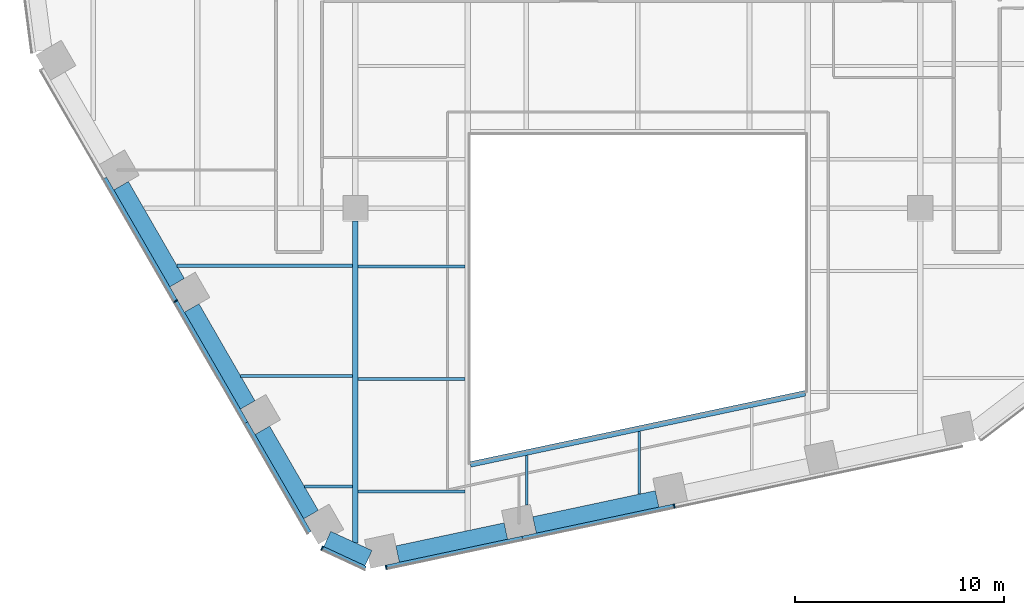
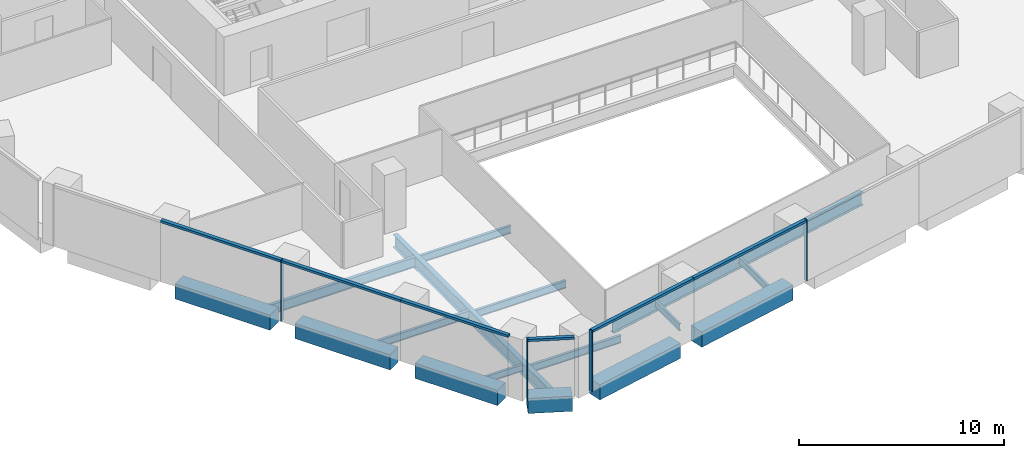
# One storey, part 2 of 16: 16 beams, 10 members, 3 elements without a shape of their own.
"""IFC4 building model written with IfcOpenShell, lengths in metres."""

from ifc_helpers import new_model, si_unit, direction, frame, origin, origin_2d, place, context, subcontext, project, spatial, rectangle, i_section, extrude, material, layer, layer_set, material_profile, profile_set, type_object, element, aggregate, save


model = new_model("IFC4")

# Units and contexts
model_context = context("Model", 3, precision=1e-05, world=origin(), true_north=direction((0.0, 1.0)))
body_context = subcontext(model_context, "Body", "Model", "MODEL_VIEW")
ifc_project = project(units=[si_unit("LENGTHUNIT", "METRE"), si_unit("AREAUNIT", "SQUARE_METRE"), si_unit("VOLUMEUNIT", "CUBIC_METRE"), si_unit("PLANEANGLEUNIT", "RADIAN"), si_unit("MASSUNIT", "GRAM", prefix="KILO")], contexts=[model_context])

# Site, building, storey
site_placement = place(None, origin())
site = spatial("IfcSite", under=ifc_project, at=site_placement, CompositionType="ELEMENT")
building_placement = place(site_placement, origin())
building = spatial("IfcBuilding", under=site, at=building_placement, Name="Isthmus Gate Tower", CompositionType="ELEMENT")
storey_placement = place(building_placement, frame((0.0, 0.0, 151.699951171875)))
storey = spatial("IfcBuildingStorey", under=building, at=storey_placement, Name="L37", CompositionType="ELEMENT", Elevation=151.699951171875)

# Curtain wall, member
ifc_material_1 = material(Name="Aluminium, pale champagne anodised", Category="aluminium")
ifc_layer = layer(ifc_material_1, 0.199951171875)
ifc_layer_set = layer_set([ifc_layer], Name="CW-1 UNITISED CURTAIN WALL 200 DEEP")
curtain_wall_type = type_object("IfcCurtainWallType", Name="CW-1 UNITISED CURTAIN WALL 200 DEEP", PredefinedType="NOTDEFINED", material=ifc_layer_set)
curtain_wall_1_placement = place(storey_placement, origin())
curtain_wall_1 = element("IfcCurtainWall", 1, at=curtain_wall_1_placement, inside=storey, type_object=curtain_wall_type, Name="CW-1 SW L37", PredefinedType="NOTDEFINED")
ifc_material_2 = material(Name="Aluminium, pale champagne anodised", Category="aluminium")
ifc_material_profile_1 = material_profile(ifc_material_2, rectangle(XDim=0.06005859375, YDim=0.199951171875, at=origin_2d()), Name="60x200")
ifc_profile_set_1 = profile_set([ifc_material_profile_1], Name="Aluminium, pale champagne anodised")
member_type_1 = type_object("IfcMemberType", Name="CW-1 MULLION 60 X 200", PredefinedType="MULLION", material=ifc_profile_set_1)
member_1_placement = place(storey_placement, frame((-22.08935546875, -17.93994140625, 0.0), z_axis=(0.0, 0.0, 1.0), x_axis=(0.5, -0.866025403784, 0.0)))
member_1 = element("IfcMember", 2, at=member_1_placement, type_object=member_type_1, Name="CW-1 mullion", PredefinedType="MULLION", context=body_context, shape_type="SweptSolid", body=[
    extrude(rectangle(XDim=0.06005859375, YDim=0.199951171875, at=origin_2d()), origin(), (0.0, 0.0, 1.0), 3.650146484375),
])

curtain_wall_2_placement = place(storey_placement, origin())
curtain_wall_2 = element("IfcCurtainWall", 3, at=curtain_wall_2_placement, inside=storey, type_object=curtain_wall_type, Name="CW-1 SW-S L37", PredefinedType="NOTDEFINED")
member_2_placement = place(storey_placement, frame((-15.091064453125, -29.74755859375, 0.0), z_axis=(0.0, 0.0, 1.0), x_axis=(0.907256261367, -0.420578264073, 0.0)))
member_2 = element("IfcMember", 4, at=member_2_placement, type_object=member_type_1, Name="CW-1 mullion", PredefinedType="MULLION", context=body_context, shape_type="SweptSolid", body=[
    extrude(rectangle(XDim=0.06005859375, YDim=0.199951171875, at=origin_2d()), origin(), (0.0, 0.0, 1.0), 3.650146484375),
])

# Curtain wall, members
curtain_wall_3_placement = place(storey_placement, origin())
curtain_wall_3 = element("IfcCurtainWall", 5, at=curtain_wall_3_placement, inside=storey, type_object=curtain_wall_type, Name="CW-1 S L37", PredefinedType="NOTDEFINED")
member_3_placement = place(storey_placement, frame((-12.03369140625, -30.66015625, 0.0), z_axis=(0.0, 0.0, 1.0), x_axis=(0.978147600734, 0.207911690818, 0.0)))
member_3 = element("IfcMember", 6, at=member_3_placement, type_object=member_type_1, Name="CW-1 mullion", PredefinedType="MULLION", context=body_context, shape_type="SweptSolid", body=[
    extrude(rectangle(XDim=0.06005859375, YDim=0.199951171875, at=origin_2d()), origin(), (0.0, 0.0, 1.0), 3.650146484375),
])
member_4_placement = place(storey_placement, frame((1.740234375, -27.732421875, 0.0), z_axis=(0.0, 0.0, 1.0), x_axis=(0.978147600734, 0.207911690818, 0.0)))
member_4 = element("IfcMember", 7, at=member_4_placement, type_object=member_type_1, Name="CW-1 mullion", PredefinedType="MULLION", context=body_context, shape_type="SweptSolid", body=[
    extrude(rectangle(XDim=0.06005859375, YDim=0.199951171875, at=origin_2d()), origin(), (0.0, 0.0, 1.0), 3.650146484375),
])

# Member
ifc_material_3 = material(Name="Aluminium, pale champagne anodised", Category="aluminium")
ifc_material_profile_2 = material_profile(ifc_material_3, rectangle(XDim=0.199951171875, YDim=0.139892578125, at=origin_2d()), Name="200x140")
ifc_profile_set_2 = profile_set([ifc_material_profile_2], Name="Aluminium, pale champagne anodised")
member_type_2 = type_object("IfcMemberType", Name="CW-1 TRANSOM 200 X 140", PredefinedType="USERDEFINED", material=ifc_profile_set_2)
member_5_placement = place(storey_placement, frame((-25.4794921875, -12.068115234375, 3.580078125), z_axis=(0.49998230858, -0.86603561769, 0.0), x_axis=(0.86603561769, 0.49998230858, 0.0)))
member_5 = element("IfcMember", 8, at=member_5_placement, type_object=member_type_2, Name="CW-1 transom", ObjectType="TRANSOM", PredefinedType="USERDEFINED", context=body_context, shape_type="SweptSolid", body=[
    extrude(rectangle(XDim=0.199951171875, YDim=0.139892578125, at=origin_2d()), origin(), (0.0, 0.0, 1.0), 6.750244140625),
])

member_6_placement = place(storey_placement, frame((-22.074462890625, -17.9658203125, 3.580078125), z_axis=(0.499981482168, -0.866036094796, 0.0), x_axis=(0.866036094796, 0.499981482168, 0.0)))
member_6 = element("IfcMember", 9, at=member_6_placement, type_object=member_type_2, Name="CW-1 transom", ObjectType="TRANSOM", PredefinedType="USERDEFINED", context=body_context, shape_type="SweptSolid", body=[
    extrude(rectangle(XDim=0.199951171875, YDim=0.139892578125, at=origin_2d()), origin(), (0.0, 0.0, 1.0), 6.690185546875),
])

member_7_placement = place(storey_placement, frame((-18.7294921875, -23.759765625, 3.580078125), z_axis=(0.50001470477, -0.866016913815, 0.0), x_axis=(0.866016913815, 0.50001470477, 0.0)))
member_7 = element("IfcMember", 10, at=member_7_placement, type_object=member_type_2, Name="CW-1 transom", ObjectType="TRANSOM", PredefinedType="USERDEFINED", context=body_context, shape_type="SweptSolid", body=[
    extrude(rectangle(XDim=0.199951171875, YDim=0.139892578125, at=origin_2d()), origin(), (0.0, 0.0, 1.0), 6.050048828125),
])

aggregate(curtain_wall_1, [member_5, member_1, member_6, member_7])

member_8_placement = place(storey_placement, frame((-15.06396484375, -29.76025390625, 3.580078125), z_axis=(0.907246225564, -0.420599912268, 0.0), x_axis=(0.420599912268, 0.907246225564, 0.0)))
member_8 = element("IfcMember", 11, at=member_8_placement, type_object=member_type_2, Name="CW-1 transom", ObjectType="TRANSOM", PredefinedType="USERDEFINED", context=body_context, shape_type="SweptSolid", body=[
    extrude(rectangle(XDim=0.199951171875, YDim=0.139892578125, at=origin_2d()), origin(), (0.0, 0.0, 1.0), 2.258544921875),
])

aggregate(curtain_wall_2, [member_2, member_8])

member_9_placement = place(storey_placement, frame((-12.00439453125, -30.65380859375, 3.580078125), z_axis=(0.97814593552, 0.207919524877, 0.0), x_axis=(-0.207919524877, 0.97814593552, 0.0)))
member_9 = element("IfcMember", 12, at=member_9_placement, type_object=member_type_2, Name="CW-1 transom", ObjectType="TRANSOM", PredefinedType="USERDEFINED", context=body_context, shape_type="SweptSolid", body=[
    extrude(rectangle(XDim=0.199951171875, YDim=0.139892578125, at=origin_2d()), origin(), (0.0, 0.0, 1.0), 6.630859375),
])

member_10_placement = place(storey_placement, frame((-5.5185546875, -29.275146484375, 3.580078125), z_axis=(0.978147683684, 0.207911300568, 0.0), x_axis=(-0.207911300568, 0.978147683684, 0.0)))
member_10 = element("IfcMember", 13, at=member_10_placement, type_object=member_type_2, Name="CW-1 transom", ObjectType="TRANSOM", PredefinedType="USERDEFINED", context=body_context, shape_type="SweptSolid", body=[
    extrude(rectangle(XDim=0.199951171875, YDim=0.139892578125, at=origin_2d()), origin(), (0.0, 0.0, 1.0), 7.390869140625),
])

aggregate(curtain_wall_3, [member_3, member_9, member_10, member_4])

# Beams
ifc_material_4 = material(Name="Concrete f'c 60 MPa", Category="concrete")
ifc_material_profile_3 = material_profile(ifc_material_4, rectangle(XDim=0.800048828125, YDim=0.89990234375, at=origin_2d()), Name="RC 800X900")
ifc_profile_set_3 = profile_set([ifc_material_profile_3], Name="Concrete f'c 60 MPa")
beam_type_1 = type_object("IfcBeamType", Name="RC SPANDREL 800 X 900", PredefinedType="SPANDREL", material=ifc_profile_set_3)
beam_1_placement = place(storey_placement, frame((0.922119140625, -27.39501953125, -0.449951171875), z_axis=(-0.978145798872, -0.20792016773, 0.0), x_axis=(0.20792016773, -0.978145798872, 0.0)))
element("IfcBeam", 14, at=beam_1_placement, inside=storey, type_object=beam_type_1, Name="str-spandrel-L37-13", PredefinedType="SPANDREL", context=body_context, shape_type="SweptSolid", body=[
    extrude(rectangle(XDim=0.800048828125, YDim=0.89990234375, at=origin_2d()), origin(), (0.0, 0.0, 1.0), 5.99072265625),
])
beam_2_placement = place(storey_placement, frame((-6.30712890625, -28.931640625, -0.449951171875), z_axis=(-0.978145479826, -0.207921668653, 0.0), x_axis=(0.207921668653, -0.978145479826, 0.0)))
element("IfcBeam", 15, at=beam_2_placement, inside=storey, type_object=beam_type_1, Name="str-spandrel-L37-14", PredefinedType="SPANDREL", context=body_context, shape_type="SweptSolid", body=[
    extrude(rectangle(XDim=0.800048828125, YDim=0.89990234375, at=origin_2d()), origin(), (0.0, 0.0, 1.0), 5.291015625),
])
beam_3_placement = place(storey_placement, frame((-12.87255859375, -30.224853515625, -0.449951171875), z_axis=(-0.907290744498, 0.420503870314, 0.0), x_axis=(-0.420503870314, -0.907290744498, 0.0)))
element("IfcBeam", 16, at=beam_3_placement, inside=storey, type_object=beam_type_1, Name="str-spandrel-L37-15", PredefinedType="SPANDREL", context=body_context, shape_type="SweptSolid", body=[
    extrude(rectangle(XDim=0.800048828125, YDim=0.89990234375, at=origin_2d()), origin(), (0.0, 0.0, 1.0), 2.173095703125),
])
beam_4_placement = place(storey_placement, frame((-15.621337890625, -28.14306640625, -0.449951171875), z_axis=(-0.499984536904, 0.866034331223, 0.0), x_axis=(-0.866034331223, -0.499984536904, 0.0)))
element("IfcBeam", 17, at=beam_4_placement, inside=storey, type_object=beam_type_1, Name="str-spandrel-L37-16", PredefinedType="SPANDREL", context=body_context, shape_type="SweptSolid", body=[
    extrude(rectangle(XDim=0.800048828125, YDim=0.89990234375, at=origin_2d()), origin(), (0.0, 0.0, 1.0), 4.650146484375),
])
for number, where, z_axis, x_axis, name in (
    (18, (-18.646484375, -22.903564453125, -0.449951171875), (-0.500001594578, 0.866024483152, 0.0), (-0.866024483152, -0.500001594578, 0.0), "str-spandrel-L37-17"),
    (19, (-22.021484375, -17.0576171875, -0.449951171875), (-0.500001594578, 0.866024483152, 0.0), (-0.866024483152, -0.500001594578, 0.0), "str-spandrel-L37-18"),
):
    element("IfcBeam", number, at=place(storey_placement, frame(where, z_axis=z_axis, x_axis=x_axis)), inside=storey, type_object=beam_type_1, Name=name, PredefinedType="SPANDREL", context=body_context, shape_type="SweptSolid", body=[
        extrude(rectangle(XDim=0.800048828125, YDim=0.89990234375, at=origin_2d()), origin(), (0.0, 0.0, 1.0), 5.35009765625),
    ])
ifc_material_5 = material(Name="Structural steel ASTM A992 Gr 50", Category="steel")
ifc_material_profile_4 = material_profile(ifc_material_5, i_section(OverallWidth=0.1396484375, OverallDepth=0.4033203125, WebThickness=0.00634765625, FlangeThickness=0.010986328125, at=origin_2d()), Name="W16X31")
ifc_profile_set_4 = profile_set([ifc_material_profile_4], Name="Structural steel ASTM A992 Gr 50")
beam_type_2 = type_object("IfcBeamType", Name="STEEL FLOOR BEAM W16X31", PredefinedType="JOIST", material=ifc_profile_set_4)
beam_5_placement = place(storey_placement, frame((-15.937744140625, -26.795166015625, -0.3515625), z_axis=(1.0, 0.0, 0.0), x_axis=(0.0, 1.0, 0.0)))
element("IfcBeam", 20, at=beam_5_placement, inside=storey, type_object=beam_type_2, Name="str-beam-L37-02-00", PredefinedType="JOIST", context=body_context, shape_type="SweptSolid", body=[
    extrude(i_section(OverallWidth=0.1396484375, OverallDepth=0.4033203125, WebThickness=0.00634765625, FlangeThickness=0.010986328125, at=origin_2d()), origin(), (0.0, 0.0, 1.0), 2.304443359375),
])
beam_6_placement = place(storey_placement, frame((-5.311279296875, -27.69775390625, -0.3515625), z_axis=(0.0, 1.0, 0.0), x_axis=(-1.0, 0.0, 0.0)))
element("IfcBeam", 21, at=beam_6_placement, inside=storey, type_object=beam_type_2, Name="str-beam-L37-07-00", PredefinedType="JOIST", context=body_context, shape_type="SweptSolid", body=[
    extrude(i_section(OverallWidth=0.1396484375, OverallDepth=0.4033203125, WebThickness=0.00634765625, FlangeThickness=0.010986328125, at=origin_2d()), origin(), (0.0, 0.0, 1.0), 2.385498046875),
])
beam_7_placement = place(storey_placement, frame((0.06591796875, -27.168212890625, -0.3515625), z_axis=(0.0, 1.0, 0.0), x_axis=(-1.0, 0.0, 0.0)))
element("IfcBeam", 22, at=beam_7_placement, inside=storey, type_object=beam_type_2, Name="str-beam-L37-07-01", PredefinedType="JOIST", context=body_context, shape_type="SweptSolid", body=[
    extrude(i_section(OverallWidth=0.1396484375, OverallDepth=0.4033203125, WebThickness=0.00634765625, FlangeThickness=0.010986328125, at=origin_2d()), origin(), (0.0, 0.0, 1.0), 2.9990234375),
])
ifc_material_6 = material(Name="Structural steel ASTM A992 Gr 50", Category="steel")
ifc_material_profile_5 = material_profile(ifc_material_6, i_section(OverallWidth=0.15234375, OverallDepth=0.45068359375, WebThickness=0.0078125, FlangeThickness=0.010986328125, at=origin_2d()), Name="W18X35")
ifc_profile_set_5 = profile_set([ifc_material_profile_5], Name="Structural steel ASTM A992 Gr 50")
beam_type_3 = type_object("IfcBeamType", Name="STEEL FLOOR BEAM W18X35", PredefinedType="JOIST", material=ifc_profile_set_5)
beam_8_placement = place(storey_placement, frame((-18.981689453125, -21.52294921875, -0.375244140625), z_axis=(1.0, 0.0, 0.0), x_axis=(0.0, 1.0, 0.0)))
element("IfcBeam", 23, at=beam_8_placement, inside=storey, type_object=beam_type_3, Name="str-beam-L37-02-01", PredefinedType="JOIST", context=body_context, shape_type="SweptSolid", body=[
    extrude(i_section(OverallWidth=0.15234375, OverallDepth=0.45068359375, WebThickness=0.0078125, FlangeThickness=0.010986328125, at=origin_2d()), origin(), (0.0, 0.0, 1.0), 5.348388671875),
])
for number, where, z_axis, x_axis, name in (
    (24, (-13.36669921875, -27.04736328125, -0.375244140625), (1.0, 0.0, 0.0), (0.0, 1.0, 0.0), "str-beam-L37-03-00"),
    (25, (-13.36669921875, -21.67041015625, -0.375244140625), (1.0, 0.0, 0.0), (0.0, 1.0, 0.0), "str-beam-L37-03-01"),
    (26, (-13.36669921875, -16.293212890625, -0.375244140625), (1.0, 0.0, 0.0), (0.0, 1.0, 0.0), "str-beam-L37-03-02"),
):
    element("IfcBeam", number, at=place(storey_placement, frame(where, z_axis=z_axis, x_axis=x_axis)), inside=storey, type_object=beam_type_3, Name=name, PredefinedType="JOIST", context=body_context, shape_type="SweptSolid", body=[
        extrude(i_section(OverallWidth=0.15234375, OverallDepth=0.45068359375, WebThickness=0.0078125, FlangeThickness=0.010986328125, at=origin_2d()), origin(), (0.0, 0.0, 1.0), 5.10009765625),
    ])
ifc_material_7 = material(Name="Structural steel ASTM A992 Gr 50", Category="steel")
ifc_material_profile_6 = material_profile(ifc_material_7, i_section(OverallWidth=0.177734375, OverallDepth=0.60009765625, WebThickness=0.009521484375, FlangeThickness=0.0126953125, at=origin_2d()), Name="W24X55")
ifc_profile_set_6 = profile_set([ifc_material_profile_6], Name="Structural steel ASTM A992 Gr 50")
beam_type_4 = type_object("IfcBeamType", Name="STEEL FLOOR BEAM W24X55", PredefinedType="JOIST", material=ifc_profile_set_6)
beam_9_placement = place(storey_placement, frame((-22.025634765625, -16.25048828125, -0.449951171875), z_axis=(1.0, 0.0, 0.0), x_axis=(0.0, 1.0, 0.0)))
element("IfcBeam", 27, at=beam_9_placement, inside=storey, type_object=beam_type_4, Name="str-beam-L37-02-02", PredefinedType="JOIST", context=body_context, shape_type="SweptSolid", body=[
    extrude(i_section(OverallWidth=0.177734375, OverallDepth=0.60009765625, WebThickness=0.009521484375, FlangeThickness=0.0126953125, at=origin_2d()), origin(), (0.0, 0.0, 1.0), 8.392333984375),
])
ifc_material_8 = material(Name="Structural steel ASTM A992 Gr 50", Category="steel")
ifc_material_profile_7 = material_profile(ifc_material_8, i_section(OverallWidth=0.2666015625, OverallDepth=0.7587890625, WebThickness=0.014404296875, FlangeThickness=0.01904296875, at=origin_2d()), Name="W30X108")
ifc_profile_set_7 = profile_set([ifc_material_profile_7], Name="Structural steel ASTM A992 Gr 50")
beam_type_5 = type_object("IfcBeamType", Name="STEEL GIRDER W30X108", PredefinedType="BEAM", material=ifc_profile_set_7)
beam_10_placement = place(storey_placement, frame((-13.5, -29.4931640625, -0.529296875), z_axis=(0.0, 1.0, 0.0), x_axis=(-1.0, 0.0, 0.0)))
element("IfcBeam", 28, at=beam_10_placement, inside=storey, type_object=beam_type_5, Name="str-girder-L37-07", PredefinedType="BEAM", context=body_context, shape_type="SweptSolid", body=[
    extrude(i_section(OverallWidth=0.2666015625, OverallDepth=0.7587890625, WebThickness=0.014404296875, FlangeThickness=0.01904296875, at=origin_2d()), origin(), (0.0, 0.0, 1.0), 15.39306640625),
])
ifc_material_9 = material(Name="Structural steel ASTM A992 Gr 50", Category="steel")
ifc_material_profile_8 = material_profile(ifc_material_9, i_section(OverallWidth=0.2666015625, OverallDepth=0.7587890625, WebThickness=0.014404296875, FlangeThickness=0.01904296875, at=origin_2d()), Name="W30X108")
ifc_profile_set_8 = profile_set([ifc_material_profile_8], Name="Structural steel ASTM A992 Gr 50")
beam_type_6 = type_object("IfcBeamType", Name="STEEL TRIMMER W30X108", PredefinedType="BEAM", material=ifc_profile_set_8)
beam_11_placement = place(storey_placement, frame((-8.0, -25.747314453125, -0.529296875), z_axis=(0.978147924985, 0.20791016533, 0.0), x_axis=(-0.20791016533, 0.978147924985, 0.0)))
element("IfcBeam", 29, at=beam_11_placement, inside=storey, type_object=beam_type_6, Name="str-trimmer-L37-03", PredefinedType="BEAM", context=body_context, shape_type="SweptSolid", body=[
    extrude(i_section(OverallWidth=0.2666015625, OverallDepth=0.7587890625, WebThickness=0.014404296875, FlangeThickness=0.01904296875, at=origin_2d()), origin(), (0.0, 0.0, 1.0), 16.357421875),
])

save(model, "model.ifc")
